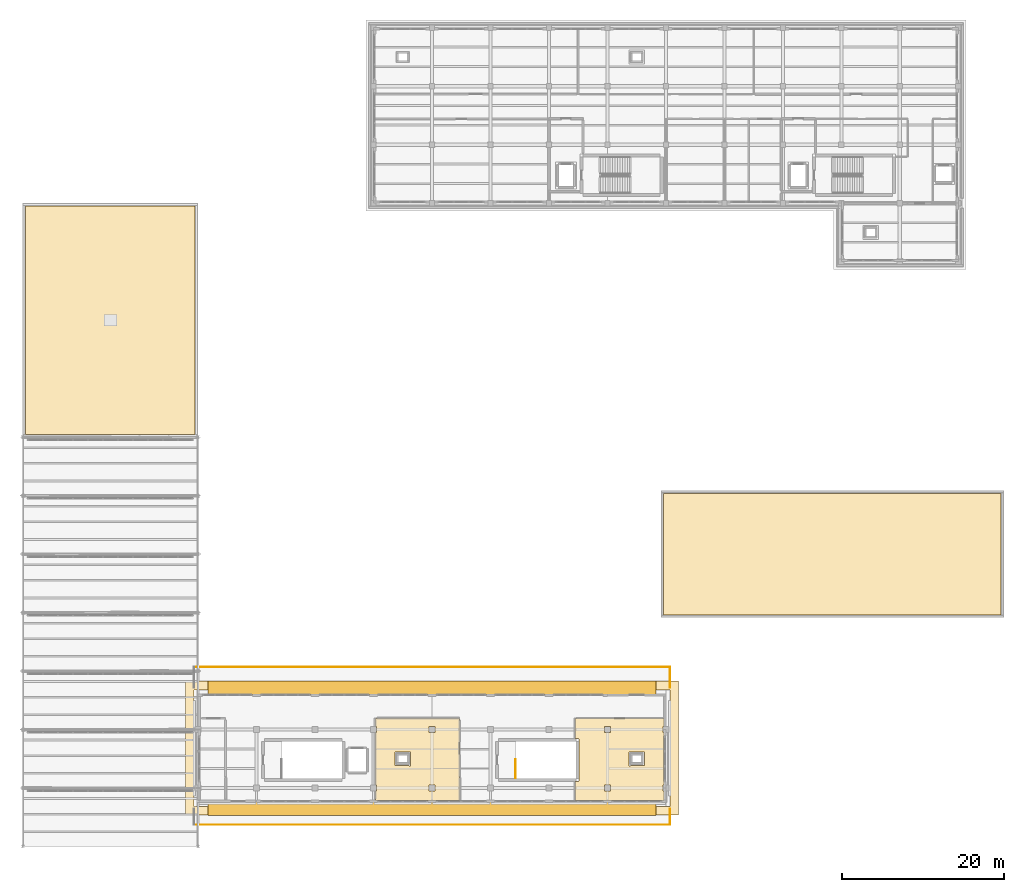
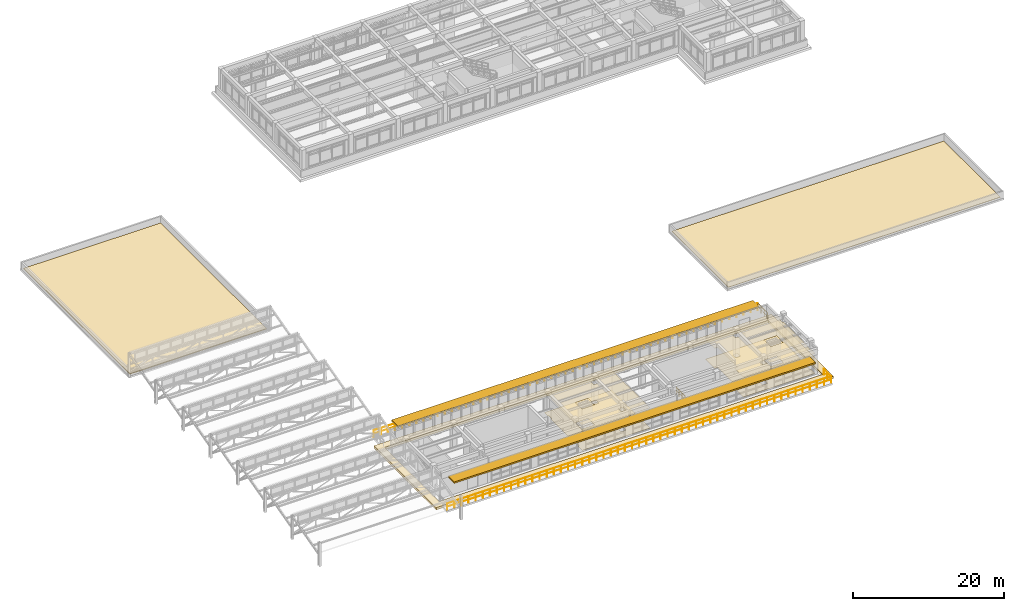
# One storey, part 51 of 55: 7 coverings, 5 railings, 2 shading devices.
"""IFC4 building model written with IfcOpenShell, lengths in metres."""

from ifc_helpers import new_model, si_unit, direction, frame, origin, origin_2d, place, context, subcontext, project, spatial, polyline, rectangle, circle, outline, extrude, material, layer, layer_set, type_object, element, save


model = new_model("IFC4")

# Units and contexts
model_context = context("Model", 3, precision=1e-05, world=origin(), true_north=direction((0.0, 1.0)))
body_context = subcontext(model_context, "Body", "Model", "MODEL_VIEW")
ifc_project = project(units=[si_unit("LENGTHUNIT", "METRE"), si_unit("AREAUNIT", "SQUARE_METRE"), si_unit("VOLUMEUNIT", "CUBIC_METRE"), si_unit("PLANEANGLEUNIT", "RADIAN"), si_unit("MASSUNIT", "GRAM", prefix="KILO")], contexts=[model_context])

# Site, building, storey
site_placement = place(None, origin())
site = spatial("IfcSite", under=ifc_project, at=site_placement, CompositionType="ELEMENT")
building_placement = place(site_placement, origin())
building = spatial("IfcBuilding", under=site, at=building_placement, Name="Solenvale Faculty of Natural Sciences", CompositionType="ELEMENT")
storey_placement = place(building_placement, frame((0.0, 0.0, 22.5)))
storey = spatial("IfcBuildingStorey", under=building, at=storey_placement, Name="L05", CompositionType="ELEMENT", Elevation=22.5)

# Coverings
ifc_material_1 = material(Name="Acoustic mineral-timber ceiling", Category="wood")
ifc_layer_1 = layer(ifc_material_1, 0.02490234375)
ifc_layer_set_1 = layer_set([ifc_layer_1], Name="Acoustic mineral-timber ceiling")
covering_type_1 = type_object("IfcCoveringType", Name="COV-CEIL-AC25", PredefinedType="CEILING", material=ifc_layer_set_1)
covering_1_placement = place(storey_placement, frame((0.0, 0.0, 3.235107421875)))
element("IfcCovering", 1, at=covering_1_placement, inside=storey, type_object=covering_type_1, Name="L05 Atmospheric Chemistry Laboratory Acoustic Ceiling", PredefinedType="CEILING", context=body_context, shape_type="SweptSolid", body=[
    extrude(outline(polyline([(89.72998046875, 30.159912109375), (89.7509765625, 30.15087890625), (89.760009765625, 30.1298828125), (89.760009765625, 23.0), (89.780029296875, 22.950927734375), (89.780029296875, 20.070068359375), (89.77099609375, 20.049072265625), (89.75, 20.0400390625), (79.449951171875, 20.0400390625), (79.428955078125, 20.049072265625), (79.419921875, 20.070068359375), (79.419921875, 21.197998046875), (79.444091796875, 21.22412109375), (79.56591796875, 21.22509765625), (79.574951171875, 21.236083984375), (79.574951171875, 21.967041015625), (79.444091796875, 21.97607421875), (79.419921875, 22.0048828125), (79.419921875, 28.39501953125), (79.44091796875, 28.424072265625), (79.56591796875, 28.425048828125), (79.574951171875, 28.43603515625), (79.574951171875, 29.1669921875), (79.444091796875, 29.176025390625), (79.419921875, 29.201904296875), (79.419921875, 30.1298828125), (79.428955078125, 30.15087890625), (79.449951171875, 30.159912109375), (89.72998046875, 30.159912109375)]), holes=[polyline([(86.02490234375, 21.236083984375), (86.035888671875, 21.22509765625), (86.77197265625, 21.22802734375), (86.77197265625, 21.971923828125), (86.028076171875, 21.971923828125), (86.02490234375, 21.236083984375)]), polyline([(86.02490234375, 28.43603515625), (86.035888671875, 28.425048828125), (86.77197265625, 28.427978515625), (86.77197265625, 29.172119140625), (86.028076171875, 29.172119140625), (86.02490234375, 28.43603515625)]), polyline([(81.867919921875, 26.06005859375), (81.847900390625, 26.050048828125), (81.840087890625, 26.030029296875), (81.840087890625, 24.3701171875), (81.85009765625, 24.347900390625), (83.72998046875, 24.340087890625), (83.751953125, 24.35009765625), (83.760009765625, 26.030029296875), (83.75, 26.052001953125), (81.867919921875, 26.06005859375)])]), origin(), (0.0, 0.0, 1.0), 0.02490234375),
])
covering_2_placement = place(storey_placement, frame((0.0, 0.0, 3.235107421875)))
element("IfcCovering", 2, at=covering_2_placement, inside=storey, type_object=covering_type_1, Name="L05 Seminar Room Acoustic Ceiling", PredefinedType="CEILING", context=body_context, shape_type="SweptSolid", body=[
    extrude(outline(polyline([(104.050048828125, 20.0400390625), (104.029052734375, 20.049072265625), (104.02001953125, 20.070068359375), (104.02099609375, 22.39599609375), (104.047119140625, 22.419921875), (104.4541015625, 22.419921875), (104.47998046875, 22.447998046875), (104.47998046875, 27.64990234375), (104.4541015625, 27.679931640625), (104.047119140625, 27.679931640625), (104.02099609375, 27.7041015625), (104.02001953125, 30.1298828125), (104.029052734375, 30.15087890625), (104.050048828125, 30.159912109375), (114.929931640625, 30.159912109375), (114.950927734375, 30.15087890625), (114.9599609375, 30.1298828125), (114.9599609375, 29.201904296875), (114.93896484375, 29.176025390625), (114.833984375, 29.175048828125), (114.824951171875, 29.1640625), (114.824951171875, 28.43310546875), (114.93896484375, 28.424072265625), (114.9599609375, 28.39501953125), (114.9599609375, 22.0048828125), (114.93896484375, 21.97607421875), (114.833984375, 21.97509765625), (114.824951171875, 21.964111328125), (114.824951171875, 21.23291015625), (114.93896484375, 21.22412109375), (114.9599609375, 21.197998046875), (114.9599609375, 20.070068359375), (114.950927734375, 20.049072265625), (114.929931640625, 20.0400390625), (104.050048828125, 20.0400390625)]), holes=[polyline([(112.56005859375, 26.031982421875), (112.550048828125, 26.052001953125), (112.530029296875, 26.06005859375), (110.64990234375, 26.052001953125), (110.639892578125, 26.030029296875), (110.64794921875, 24.35009765625), (110.669921875, 24.340087890625), (112.550048828125, 24.347900390625), (112.56005859375, 24.3701171875), (112.56005859375, 26.031982421875)]), polyline([(107.635986328125, 21.97509765625), (107.625, 21.964111328125), (107.6279296875, 21.22802734375), (108.3720703125, 21.22802734375), (108.3720703125, 21.971923828125), (107.635986328125, 21.97509765625)]), polyline([(107.635986328125, 29.175048828125), (107.625, 29.1640625), (107.6279296875, 28.427978515625), (108.3720703125, 28.427978515625), (108.3720703125, 29.172119140625), (107.635986328125, 29.175048828125)])]), origin(), (0.0, 0.0, 1.0), 0.02490234375),
])
ifc_material_2 = material(Name="Polished slate terrazzo flooring", Category="masonry")
ifc_layer_2 = layer(ifc_material_2, 0.01806640625)
ifc_layer_set_2 = layer_set([ifc_layer_2], Name="Polished slate terrazzo flooring")
covering_type_2 = type_object("IfcCoveringType", Name="COV-FLR-TRZ18", PredefinedType="FLOORING", material=ifc_layer_set_2)
covering_3_placement = place(storey_placement, origin())
element("IfcCovering", 3, at=covering_3_placement, inside=storey, type_object=covering_type_2, Name="L05 Seminar Room Floor Finish", PredefinedType="FLOORING", context=body_context, shape_type="SweptSolid", body=[
    extrude(outline(polyline([(104.050048828125, 20.0400390625), (104.029052734375, 20.049072265625), (104.02001953125, 20.070068359375), (104.02099609375, 22.39599609375), (104.047119140625, 22.419921875), (104.4541015625, 22.419921875), (104.47998046875, 22.447998046875), (104.47998046875, 27.64990234375), (104.4541015625, 27.679931640625), (104.047119140625, 27.679931640625), (104.02099609375, 27.7041015625), (104.02001953125, 30.1298828125), (104.029052734375, 30.15087890625), (104.050048828125, 30.159912109375), (114.929931640625, 30.159912109375), (114.950927734375, 30.15087890625), (114.9599609375, 30.1298828125), (114.9599609375, 29.201904296875), (114.93896484375, 29.176025390625), (114.833984375, 29.175048828125), (114.824951171875, 29.1640625), (114.824951171875, 28.43310546875), (114.93896484375, 28.424072265625), (114.9599609375, 28.39501953125), (114.9599609375, 22.0048828125), (114.93896484375, 21.97607421875), (114.833984375, 21.97509765625), (114.824951171875, 21.964111328125), (114.824951171875, 21.23291015625), (114.93896484375, 21.22412109375), (114.9599609375, 21.197998046875), (114.9599609375, 20.070068359375), (114.950927734375, 20.049072265625), (114.929931640625, 20.0400390625), (104.050048828125, 20.0400390625)]), holes=[polyline([(112.56005859375, 26.031982421875), (112.550048828125, 26.052001953125), (112.530029296875, 26.06005859375), (110.64990234375, 26.052001953125), (110.639892578125, 26.030029296875), (110.64794921875, 24.35009765625), (110.669921875, 24.340087890625), (112.550048828125, 24.347900390625), (112.56005859375, 24.3701171875), (112.56005859375, 26.031982421875)]), polyline([(107.635986328125, 21.97509765625), (107.625, 21.964111328125), (107.6279296875, 21.22802734375), (108.3720703125, 21.22802734375), (108.3720703125, 21.971923828125), (107.635986328125, 21.97509765625)]), polyline([(107.635986328125, 29.175048828125), (107.625, 29.1640625), (107.6279296875, 28.427978515625), (108.3720703125, 28.427978515625), (108.3720703125, 29.172119140625), (107.635986328125, 29.175048828125)])]), origin(), (0.0, 0.0, 1.0), 0.01806640625),
])
ifc_material_3 = material(Name="Seamless laboratory vinyl flooring")
ifc_layer_3 = layer(ifc_material_3, 0.008056640625)
ifc_layer_set_3 = layer_set([ifc_layer_3], Name="Seamless laboratory vinyl flooring")
covering_type_3 = type_object("IfcCoveringType", Name="COV-FLR-VNL08", PredefinedType="FLOORING", material=ifc_layer_set_3)
covering_4_placement = place(storey_placement, origin())
element("IfcCovering", 4, at=covering_4_placement, inside=storey, type_object=covering_type_3, Name="L05 Atmospheric Chemistry Laboratory Floor Finish", PredefinedType="FLOORING", context=body_context, shape_type="SweptSolid", body=[
    extrude(outline(polyline([(89.72998046875, 30.159912109375), (89.7509765625, 30.15087890625), (89.760009765625, 30.1298828125), (89.760009765625, 23.0), (89.780029296875, 22.950927734375), (89.780029296875, 20.070068359375), (89.77099609375, 20.049072265625), (89.75, 20.0400390625), (79.449951171875, 20.0400390625), (79.428955078125, 20.049072265625), (79.419921875, 20.070068359375), (79.419921875, 21.197998046875), (79.444091796875, 21.22412109375), (79.56591796875, 21.22509765625), (79.574951171875, 21.236083984375), (79.574951171875, 21.967041015625), (79.444091796875, 21.97607421875), (79.419921875, 22.0048828125), (79.419921875, 28.39501953125), (79.44091796875, 28.424072265625), (79.56591796875, 28.425048828125), (79.574951171875, 28.43603515625), (79.574951171875, 29.1669921875), (79.444091796875, 29.176025390625), (79.419921875, 29.201904296875), (79.419921875, 30.1298828125), (79.428955078125, 30.15087890625), (79.449951171875, 30.159912109375), (89.72998046875, 30.159912109375)]), holes=[polyline([(86.02490234375, 21.236083984375), (86.035888671875, 21.22509765625), (86.77197265625, 21.22802734375), (86.77197265625, 21.971923828125), (86.028076171875, 21.971923828125), (86.02490234375, 21.236083984375)]), polyline([(86.02490234375, 28.43603515625), (86.035888671875, 28.425048828125), (86.77197265625, 28.427978515625), (86.77197265625, 29.172119140625), (86.028076171875, 29.172119140625), (86.02490234375, 28.43603515625)]), polyline([(81.867919921875, 26.06005859375), (81.847900390625, 26.050048828125), (81.840087890625, 26.030029296875), (81.840087890625, 24.3701171875), (81.85009765625, 24.347900390625), (83.72998046875, 24.340087890625), (83.751953125, 24.35009765625), (83.760009765625, 26.030029296875), (83.75, 26.052001953125), (81.867919921875, 26.06005859375)])]), origin(), (0.0, 0.0, 1.0), 0.008056640625),
])
ifc_material_4 = material(Name="Planted green roof build-up")
ifc_layer_4 = layer(ifc_material_4, 0.1201171875)
ifc_layer_set_4 = layer_set([ifc_layer_4], Name="Planted green roof build-up")
covering_type_4 = type_object("IfcCoveringType", Name="COV-ROOF-GREEN", PredefinedType="ROOFING", material=ifc_layer_set_4)
covering_5_placement = place(storey_placement, origin())
element("IfcCovering", 5, at=covering_5_placement, inside=storey, type_object=covering_type_4, Name="L05 Roof Covering 5", PredefinedType="ROOFING", context=body_context, shape_type="SweptSolid", body=[
    extrude(outline(polyline([(36.35009765625, 65.14990234375), (36.35009765625, 93.25), (57.25, 93.25), (57.25, 65.14990234375), (36.35009765625, 65.14990234375)])), origin(), (0.0, 0.0, 1.0), 0.1201171875),
])
ifc_material_5 = material(Name="Insulated EPDM roofing membrane")
ifc_layer_5 = layer(ifc_material_5, 0.06494140625)
ifc_layer_set_5 = layer_set([ifc_layer_5], Name="Insulated EPDM roofing membrane")
covering_type_5 = type_object("IfcCoveringType", Name="COV-ROOF-MEMB", PredefinedType="ROOFING", material=ifc_layer_set_5)
covering_6_placement = place(storey_placement, frame((0.0, 0.0, -0.340087890625)))
element("IfcCovering", 6, at=covering_6_placement, inside=storey, type_object=covering_type_5, Name="L05 Projecting Horizontal Bronze Concrete Tray Ledge 1", PredefinedType="CLADDING", context=body_context, shape_type="SweptSolid", body=[
    extrude(outline(polyline([(116.72998046875, 34.75), (116.743896484375, 34.743896484375), (116.75, 34.72998046875), (116.75, 18.27001953125), (116.736083984375, 18.2509765625), (56.070068359375, 18.25), (56.051025390625, 18.263916015625), (56.050048828125, 34.72998046875), (56.06396484375, 34.7490234375), (116.72998046875, 34.75)]), holes=[polyline([(57.1201171875, 19.320068359375), (115.679931640625, 19.320068359375), (115.679931640625, 33.679931640625), (57.1201171875, 33.679931640625), (57.1201171875, 19.320068359375)])]), origin(), (0.0, 0.0, 1.0), 0.380126953125),
])
covering_7_placement = place(storey_placement, origin())
element("IfcCovering", 7, at=covering_7_placement, inside=storey, type_object=covering_type_5, Name="L05 Roof Covering 4", PredefinedType="ROOFING", context=body_context, shape_type="SweptSolid", body=[
    extrude(outline(polyline([(114.929931640625, 57.8701171875), (156.469970703125, 57.8701171875), (156.469970703125, 42.929931640625), (114.929931640625, 42.929931640625), (114.929931640625, 57.8701171875)])), origin(), (0.0, 0.0, 1.0), 0.06494140625),
])

# Railings
ifc_material_6 = material(Name="Stainless steel Grade 304", Category="steel")
railing_type_1 = type_object("IfcRailingType", Name="RL-GRD-1100", PredefinedType="GUARDRAIL", material=ifc_material_6)
railing_1_placement = place(storey_placement, frame((96.68994140625, 22.800048828125, 0.0)))
element("IfcRailing", 8, at=railing_1_placement, inside=storey, type_object=railing_type_1, Name="L05 ST-07 top well guard 1", PredefinedType="GUARDRAIL", context=body_context, shape_type="SweptSolid", body=[
    extrude(circle(Radius=0.02392578125, at=origin_2d()), frame((0.0, 0.0, 1.09619140625), z_axis=(0.0, 1.0, 0.0), x_axis=(-1.0, 0.0, 0.0)), (0.0, 0.0, 1.0), 2.349853515625),
    extrude(circle(Radius=0.01611328125, at=origin_2d()), frame((0.0, 0.0, 0.56005859375), z_axis=(0.0, 1.0, 0.0), x_axis=(-1.0, 0.0, 0.0)), (0.0, 0.0, 1.0), 2.349853515625),
    extrude(circle(Radius=0.02099609375, at=origin_2d()), origin(), (0.0, 0.0, 1.0), 1.072021484375),
    extrude(circle(Radius=0.02099609375, at=origin_2d()), frame((0.0, 0.783203125, 0.0)), (0.0, 0.0, 1.0), 1.072021484375),
    extrude(circle(Radius=0.02099609375, at=origin_2d()), frame((0.0, 1.566650390625, 0.0)), (0.0, 0.0, 1.0), 1.072021484375),
    extrude(circle(Radius=0.02099609375, at=origin_2d()), frame((0.0, 2.349853515625, 0.0)), (0.0, 0.0, 1.0), 1.072021484375),
])
railing_type_2 = type_object("IfcRailingType", Name="RL-TERR-1100", PredefinedType="GUARDRAIL", material=ifc_material_6)
railing_2_placement = place(storey_placement, frame((115.719970703125, 36.52001953125, 0.0)))
element("IfcRailing", 9, at=railing_2_placement, inside=storey, type_object=railing_type_2, Name="L05 Terrace Guardrail 1.1", PredefinedType="GUARDRAIL", context=body_context, shape_type="SweptSolid", body=[
    extrude(circle(Radius=0.02392578125, at=origin_2d()), frame((0.0, 0.0, 1.09619140625), z_axis=(0.0, -1.0, 0.0), x_axis=(1.0, 0.0, 0.0)), (0.0, 0.0, 1.0), 2.56005859375),
    extrude(circle(Radius=0.01611328125, at=origin_2d()), frame((0.0, 0.0, 0.56005859375), z_axis=(0.0, -1.0, 0.0), x_axis=(1.0, 0.0, 0.0)), (0.0, 0.0, 1.0), 2.56005859375),
    extrude(circle(Radius=0.02099609375, at=origin_2d()), origin(), (0.0, 0.0, 1.0), 1.072021484375),
    extrude(circle(Radius=0.02099609375, at=origin_2d()), frame((0.0, -0.853271484375, 0.0)), (0.0, 0.0, 1.0), 1.072021484375),
    extrude(circle(Radius=0.02099609375, at=origin_2d()), frame((0.0, -1.706787109375, 0.0)), (0.0, 0.0, 1.0), 1.072021484375),
    extrude(circle(Radius=0.02099609375, at=origin_2d()), frame((0.0, -2.56005859375, 0.0)), (0.0, 0.0, 1.0), 1.072021484375),
])
railing_3_placement = place(storey_placement, frame((57.080078125, 36.52001953125, 0.0)))
element("IfcRailing", 10, at=railing_3_placement, inside=storey, type_object=railing_type_2, Name="L05 Terrace Guardrail 1.4", PredefinedType="GUARDRAIL", context=body_context, shape_type="SweptSolid", body=[
    extrude(circle(Radius=0.02392578125, at=origin_2d()), frame((0.0, 0.0, 1.09619140625), z_axis=(1.0, 0.0, 0.0), x_axis=(0.0, 1.0, 0.0)), (0.0, 0.0, 1.0), 58.639892578125),
    extrude(circle(Radius=0.01611328125, at=origin_2d()), frame((0.0, 0.0, 0.56005859375), z_axis=(1.0, 0.0, 0.0), x_axis=(0.0, 1.0, 0.0)), (0.0, 0.0, 1.0), 58.639892578125),
    extrude(circle(Radius=0.02099609375, at=origin_2d()), origin(), (0.0, 0.0, 1.0), 1.072021484375),
    extrude(circle(Radius=0.02099609375, at=origin_2d()), frame((1.0859375, 0.0, 0.0)), (0.0, 0.0, 1.0), 1.072021484375),
    extrude(circle(Radius=0.02099609375, at=origin_2d()), frame((2.171875, 0.0, 0.0)), (0.0, 0.0, 1.0), 1.072021484375),
    extrude(circle(Radius=0.02099609375, at=origin_2d()), frame((3.2578125, 0.0, 0.0)), (0.0, 0.0, 1.0), 1.072021484375),
    extrude(circle(Radius=0.02099609375, at=origin_2d()), frame((4.34375, 0.0, 0.0)), (0.0, 0.0, 1.0), 1.072021484375),
    extrude(circle(Radius=0.02099609375, at=origin_2d()), frame((5.4296875, 0.0, 0.0)), (0.0, 0.0, 1.0), 1.072021484375),
    extrude(circle(Radius=0.02099609375, at=origin_2d()), frame((6.515625, 0.0, 0.0)), (0.0, 0.0, 1.0), 1.072021484375),
    extrude(circle(Radius=0.02099609375, at=origin_2d()), frame((7.6015625, 0.0, 0.0)), (0.0, 0.0, 1.0), 1.072021484375),
    extrude(circle(Radius=0.02099609375, at=origin_2d()), frame((8.6875, 0.0, 0.0)), (0.0, 0.0, 1.0), 1.072021484375),
    extrude(circle(Radius=0.02099609375, at=origin_2d()), frame((9.7734375, 0.0, 0.0)), (0.0, 0.0, 1.0), 1.072021484375),
    extrude(circle(Radius=0.02099609375, at=origin_2d()), frame((10.859130859375, 0.0, 0.0)), (0.0, 0.0, 1.0), 1.072021484375),
    extrude(circle(Radius=0.02099609375, at=origin_2d()), frame((11.945068359375, 0.0, 0.0)), (0.0, 0.0, 1.0), 1.072021484375),
    extrude(circle(Radius=0.02099609375, at=origin_2d()), frame((13.031005859375, 0.0, 0.0)), (0.0, 0.0, 1.0), 1.072021484375),
    extrude(circle(Radius=0.02099609375, at=origin_2d()), frame((14.116943359375, 0.0, 0.0)), (0.0, 0.0, 1.0), 1.072021484375),
    extrude(circle(Radius=0.02099609375, at=origin_2d()), frame((15.202880859375, 0.0, 0.0)), (0.0, 0.0, 1.0), 1.072021484375),
    extrude(circle(Radius=0.02099609375, at=origin_2d()), frame((16.288818359375, 0.0, 0.0)), (0.0, 0.0, 1.0), 1.072021484375),
    extrude(circle(Radius=0.02099609375, at=origin_2d()), frame((17.374755859375, 0.0, 0.0)), (0.0, 0.0, 1.0), 1.072021484375),
    extrude(circle(Radius=0.02099609375, at=origin_2d()), frame((18.460693359375, 0.0, 0.0)), (0.0, 0.0, 1.0), 1.072021484375),
    extrude(circle(Radius=0.02099609375, at=origin_2d()), frame((19.546630859375, 0.0, 0.0)), (0.0, 0.0, 1.0), 1.072021484375),
    extrude(circle(Radius=0.02099609375, at=origin_2d()), frame((20.632568359375, 0.0, 0.0)), (0.0, 0.0, 1.0), 1.072021484375),
    extrude(circle(Radius=0.02099609375, at=origin_2d()), frame((21.718505859375, 0.0, 0.0)), (0.0, 0.0, 1.0), 1.072021484375),
    extrude(circle(Radius=0.02099609375, at=origin_2d()), frame((22.804443359375, 0.0, 0.0)), (0.0, 0.0, 1.0), 1.072021484375),
    extrude(circle(Radius=0.02099609375, at=origin_2d()), frame((23.890380859375, 0.0, 0.0)), (0.0, 0.0, 1.0), 1.072021484375),
    extrude(circle(Radius=0.02099609375, at=origin_2d()), frame((24.976318359375, 0.0, 0.0)), (0.0, 0.0, 1.0), 1.072021484375),
    extrude(circle(Radius=0.02099609375, at=origin_2d()), frame((26.062255859375, 0.0, 0.0)), (0.0, 0.0, 1.0), 1.072021484375),
    extrude(circle(Radius=0.02099609375, at=origin_2d()), frame((27.148193359375, 0.0, 0.0)), (0.0, 0.0, 1.0), 1.072021484375),
    extrude(circle(Radius=0.02099609375, at=origin_2d()), frame((28.234130859375, 0.0, 0.0)), (0.0, 0.0, 1.0), 1.072021484375),
    extrude(circle(Radius=0.02099609375, at=origin_2d()), frame((29.31982421875, 0.0, 0.0)), (0.0, 0.0, 1.0), 1.072021484375),
    extrude(circle(Radius=0.02099609375, at=origin_2d()), frame((30.40576171875, 0.0, 0.0)), (0.0, 0.0, 1.0), 1.072021484375),
    extrude(circle(Radius=0.02099609375, at=origin_2d()), frame((31.49169921875, 0.0, 0.0)), (0.0, 0.0, 1.0), 1.072021484375),
    extrude(circle(Radius=0.02099609375, at=origin_2d()), frame((32.57763671875, 0.0, 0.0)), (0.0, 0.0, 1.0), 1.072021484375),
    extrude(circle(Radius=0.02099609375, at=origin_2d()), frame((33.66357421875, 0.0, 0.0)), (0.0, 0.0, 1.0), 1.072021484375),
    extrude(circle(Radius=0.02099609375, at=origin_2d()), frame((34.74951171875, 0.0, 0.0)), (0.0, 0.0, 1.0), 1.072021484375),
    extrude(circle(Radius=0.02099609375, at=origin_2d()), frame((35.83544921875, 0.0, 0.0)), (0.0, 0.0, 1.0), 1.072021484375),
    extrude(circle(Radius=0.02099609375, at=origin_2d()), frame((36.92138671875, 0.0, 0.0)), (0.0, 0.0, 1.0), 1.072021484375),
    extrude(circle(Radius=0.02099609375, at=origin_2d()), frame((38.00732421875, 0.0, 0.0)), (0.0, 0.0, 1.0), 1.072021484375),
    extrude(circle(Radius=0.02099609375, at=origin_2d()), frame((39.09326171875, 0.0, 0.0)), (0.0, 0.0, 1.0), 1.072021484375),
    extrude(circle(Radius=0.02099609375, at=origin_2d()), frame((40.17919921875, 0.0, 0.0)), (0.0, 0.0, 1.0), 1.072021484375),
    extrude(circle(Radius=0.02099609375, at=origin_2d()), frame((41.26513671875, 0.0, 0.0)), (0.0, 0.0, 1.0), 1.072021484375),
    extrude(circle(Radius=0.02099609375, at=origin_2d()), frame((42.35107421875, 0.0, 0.0)), (0.0, 0.0, 1.0), 1.072021484375),
    extrude(circle(Radius=0.02099609375, at=origin_2d()), frame((43.43701171875, 0.0, 0.0)), (0.0, 0.0, 1.0), 1.072021484375),
    extrude(circle(Radius=0.02099609375, at=origin_2d()), frame((44.52294921875, 0.0, 0.0)), (0.0, 0.0, 1.0), 1.072021484375),
    extrude(circle(Radius=0.02099609375, at=origin_2d()), frame((45.60888671875, 0.0, 0.0)), (0.0, 0.0, 1.0), 1.072021484375),
    extrude(circle(Radius=0.02099609375, at=origin_2d()), frame((46.69482421875, 0.0, 0.0)), (0.0, 0.0, 1.0), 1.072021484375),
    extrude(circle(Radius=0.02099609375, at=origin_2d()), frame((47.78076171875, 0.0, 0.0)), (0.0, 0.0, 1.0), 1.072021484375),
    extrude(circle(Radius=0.02099609375, at=origin_2d()), frame((48.86669921875, 0.0, 0.0)), (0.0, 0.0, 1.0), 1.072021484375),
    extrude(circle(Radius=0.02099609375, at=origin_2d()), frame((49.952392578125, 0.0, 0.0)), (0.0, 0.0, 1.0), 1.072021484375),
    extrude(circle(Radius=0.02099609375, at=origin_2d()), frame((51.038330078125, 0.0, 0.0)), (0.0, 0.0, 1.0), 1.072021484375),
    extrude(circle(Radius=0.02099609375, at=origin_2d()), frame((52.124267578125, 0.0, 0.0)), (0.0, 0.0, 1.0), 1.072021484375),
    extrude(circle(Radius=0.02099609375, at=origin_2d()), frame((53.210205078125, 0.0, 0.0)), (0.0, 0.0, 1.0), 1.072021484375),
    extrude(circle(Radius=0.02099609375, at=origin_2d()), frame((54.296142578125, 0.0, 0.0)), (0.0, 0.0, 1.0), 1.072021484375),
    extrude(circle(Radius=0.02099609375, at=origin_2d()), frame((55.382080078125, 0.0, 0.0)), (0.0, 0.0, 1.0), 1.072021484375),
    extrude(circle(Radius=0.02099609375, at=origin_2d()), frame((56.468017578125, 0.0, 0.0)), (0.0, 0.0, 1.0), 1.072021484375),
    extrude(circle(Radius=0.02099609375, at=origin_2d()), frame((57.553955078125, 0.0, 0.0)), (0.0, 0.0, 1.0), 1.072021484375),
    extrude(circle(Radius=0.02099609375, at=origin_2d()), frame((58.639892578125, 0.0, 0.0)), (0.0, 0.0, 1.0), 1.072021484375),
])
railing_4_placement = place(storey_placement, frame((115.719970703125, 19.0400390625, 0.0)))
element("IfcRailing", 11, at=railing_4_placement, inside=storey, type_object=railing_type_2, Name="L05 Terrace Guardrail 2.1", PredefinedType="GUARDRAIL", context=body_context, shape_type="SweptSolid", body=[
    extrude(circle(Radius=0.02392578125, at=origin_2d()), frame((0.0, 0.0, 1.09619140625), z_axis=(0.0, -1.0, 0.0), x_axis=(1.0, 0.0, 0.0)), (0.0, 0.0, 1.0), 1.9599609375),
    extrude(circle(Radius=0.01611328125, at=origin_2d()), frame((0.0, 0.0, 0.56005859375), z_axis=(0.0, -1.0, 0.0), x_axis=(1.0, 0.0, 0.0)), (0.0, 0.0, 1.0), 1.9599609375),
    extrude(circle(Radius=0.02099609375, at=origin_2d()), origin(), (0.0, 0.0, 1.0), 1.072021484375),
    extrude(circle(Radius=0.02099609375, at=origin_2d()), frame((0.0, -0.97998046875, 0.0)), (0.0, 0.0, 1.0), 1.072021484375),
    extrude(circle(Radius=0.02099609375, at=origin_2d()), frame((0.0, -1.9599609375, 0.0)), (0.0, 0.0, 1.0), 1.072021484375),
])
railing_5_placement = place(storey_placement, frame((115.719970703125, 17.080078125, 0.0)))
element("IfcRailing", 12, at=railing_5_placement, inside=storey, type_object=railing_type_2, Name="L05 Terrace Guardrail 2.2", PredefinedType="GUARDRAIL", context=body_context, shape_type="SweptSolid", body=[
    extrude(circle(Radius=0.02392578125, at=origin_2d()), frame((0.0, 0.0, 1.09619140625), z_axis=(-1.0, 0.0, 0.0), x_axis=(0.0, -1.0, 0.0)), (0.0, 0.0, 1.0), 58.639892578125),
    extrude(circle(Radius=0.01611328125, at=origin_2d()), frame((0.0, 0.0, 0.56005859375), z_axis=(-1.0, 0.0, 0.0), x_axis=(0.0, -1.0, 0.0)), (0.0, 0.0, 1.0), 58.639892578125),
    extrude(circle(Radius=0.02099609375, at=origin_2d()), origin(), (0.0, 0.0, 1.0), 1.072021484375),
    extrude(circle(Radius=0.02099609375, at=origin_2d()), frame((-1.0859375, 0.0, 0.0)), (0.0, 0.0, 1.0), 1.072021484375),
    extrude(circle(Radius=0.02099609375, at=origin_2d()), frame((-2.171875, 0.0, 0.0)), (0.0, 0.0, 1.0), 1.072021484375),
    extrude(circle(Radius=0.02099609375, at=origin_2d()), frame((-3.2578125, 0.0, 0.0)), (0.0, 0.0, 1.0), 1.072021484375),
    extrude(circle(Radius=0.02099609375, at=origin_2d()), frame((-4.34375, 0.0, 0.0)), (0.0, 0.0, 1.0), 1.072021484375),
    extrude(circle(Radius=0.02099609375, at=origin_2d()), frame((-5.4296875, 0.0, 0.0)), (0.0, 0.0, 1.0), 1.072021484375),
    extrude(circle(Radius=0.02099609375, at=origin_2d()), frame((-6.515625, 0.0, 0.0)), (0.0, 0.0, 1.0), 1.072021484375),
    extrude(circle(Radius=0.02099609375, at=origin_2d()), frame((-7.6015625, 0.0, 0.0)), (0.0, 0.0, 1.0), 1.072021484375),
    extrude(circle(Radius=0.02099609375, at=origin_2d()), frame((-8.6875, 0.0, 0.0)), (0.0, 0.0, 1.0), 1.072021484375),
    extrude(circle(Radius=0.02099609375, at=origin_2d()), frame((-9.7734375, 0.0, 0.0)), (0.0, 0.0, 1.0), 1.072021484375),
    extrude(circle(Radius=0.02099609375, at=origin_2d()), frame((-10.859130859375, 0.0, 0.0)), (0.0, 0.0, 1.0), 1.072021484375),
    extrude(circle(Radius=0.02099609375, at=origin_2d()), frame((-11.945068359375, 0.0, 0.0)), (0.0, 0.0, 1.0), 1.072021484375),
    extrude(circle(Radius=0.02099609375, at=origin_2d()), frame((-13.031005859375, 0.0, 0.0)), (0.0, 0.0, 1.0), 1.072021484375),
    extrude(circle(Radius=0.02099609375, at=origin_2d()), frame((-14.116943359375, 0.0, 0.0)), (0.0, 0.0, 1.0), 1.072021484375),
    extrude(circle(Radius=0.02099609375, at=origin_2d()), frame((-15.202880859375, 0.0, 0.0)), (0.0, 0.0, 1.0), 1.072021484375),
    extrude(circle(Radius=0.02099609375, at=origin_2d()), frame((-16.288818359375, 0.0, 0.0)), (0.0, 0.0, 1.0), 1.072021484375),
    extrude(circle(Radius=0.02099609375, at=origin_2d()), frame((-17.374755859375, 0.0, 0.0)), (0.0, 0.0, 1.0), 1.072021484375),
    extrude(circle(Radius=0.02099609375, at=origin_2d()), frame((-18.460693359375, 0.0, 0.0)), (0.0, 0.0, 1.0), 1.072021484375),
    extrude(circle(Radius=0.02099609375, at=origin_2d()), frame((-19.546630859375, 0.0, 0.0)), (0.0, 0.0, 1.0), 1.072021484375),
    extrude(circle(Radius=0.02099609375, at=origin_2d()), frame((-20.632568359375, 0.0, 0.0)), (0.0, 0.0, 1.0), 1.072021484375),
    extrude(circle(Radius=0.02099609375, at=origin_2d()), frame((-21.718505859375, 0.0, 0.0)), (0.0, 0.0, 1.0), 1.072021484375),
    extrude(circle(Radius=0.02099609375, at=origin_2d()), frame((-22.804443359375, 0.0, 0.0)), (0.0, 0.0, 1.0), 1.072021484375),
    extrude(circle(Radius=0.02099609375, at=origin_2d()), frame((-23.890380859375, 0.0, 0.0)), (0.0, 0.0, 1.0), 1.072021484375),
    extrude(circle(Radius=0.02099609375, at=origin_2d()), frame((-24.976318359375, 0.0, 0.0)), (0.0, 0.0, 1.0), 1.072021484375),
    extrude(circle(Radius=0.02099609375, at=origin_2d()), frame((-26.062255859375, 0.0, 0.0)), (0.0, 0.0, 1.0), 1.072021484375),
    extrude(circle(Radius=0.02099609375, at=origin_2d()), frame((-27.148193359375, 0.0, 0.0)), (0.0, 0.0, 1.0), 1.072021484375),
    extrude(circle(Radius=0.02099609375, at=origin_2d()), frame((-28.234130859375, 0.0, 0.0)), (0.0, 0.0, 1.0), 1.072021484375),
    extrude(circle(Radius=0.02099609375, at=origin_2d()), frame((-29.31982421875, 0.0, 0.0)), (0.0, 0.0, 1.0), 1.072021484375),
    extrude(circle(Radius=0.02099609375, at=origin_2d()), frame((-30.40576171875, 0.0, 0.0)), (0.0, 0.0, 1.0), 1.072021484375),
    extrude(circle(Radius=0.02099609375, at=origin_2d()), frame((-31.49169921875, 0.0, 0.0)), (0.0, 0.0, 1.0), 1.072021484375),
    extrude(circle(Radius=0.02099609375, at=origin_2d()), frame((-32.57763671875, 0.0, 0.0)), (0.0, 0.0, 1.0), 1.072021484375),
    extrude(circle(Radius=0.02099609375, at=origin_2d()), frame((-33.66357421875, 0.0, 0.0)), (0.0, 0.0, 1.0), 1.072021484375),
    extrude(circle(Radius=0.02099609375, at=origin_2d()), frame((-34.74951171875, 0.0, 0.0)), (0.0, 0.0, 1.0), 1.072021484375),
    extrude(circle(Radius=0.02099609375, at=origin_2d()), frame((-35.83544921875, 0.0, 0.0)), (0.0, 0.0, 1.0), 1.072021484375),
    extrude(circle(Radius=0.02099609375, at=origin_2d()), frame((-36.92138671875, 0.0, 0.0)), (0.0, 0.0, 1.0), 1.072021484375),
    extrude(circle(Radius=0.02099609375, at=origin_2d()), frame((-38.00732421875, 0.0, 0.0)), (0.0, 0.0, 1.0), 1.072021484375),
    extrude(circle(Radius=0.02099609375, at=origin_2d()), frame((-39.09326171875, 0.0, 0.0)), (0.0, 0.0, 1.0), 1.072021484375),
    extrude(circle(Radius=0.02099609375, at=origin_2d()), frame((-40.17919921875, 0.0, 0.0)), (0.0, 0.0, 1.0), 1.072021484375),
    extrude(circle(Radius=0.02099609375, at=origin_2d()), frame((-41.26513671875, 0.0, 0.0)), (0.0, 0.0, 1.0), 1.072021484375),
    extrude(circle(Radius=0.02099609375, at=origin_2d()), frame((-42.35107421875, 0.0, 0.0)), (0.0, 0.0, 1.0), 1.072021484375),
    extrude(circle(Radius=0.02099609375, at=origin_2d()), frame((-43.43701171875, 0.0, 0.0)), (0.0, 0.0, 1.0), 1.072021484375),
    extrude(circle(Radius=0.02099609375, at=origin_2d()), frame((-44.52294921875, 0.0, 0.0)), (0.0, 0.0, 1.0), 1.072021484375),
    extrude(circle(Radius=0.02099609375, at=origin_2d()), frame((-45.60888671875, 0.0, 0.0)), (0.0, 0.0, 1.0), 1.072021484375),
    extrude(circle(Radius=0.02099609375, at=origin_2d()), frame((-46.69482421875, 0.0, 0.0)), (0.0, 0.0, 1.0), 1.072021484375),
    extrude(circle(Radius=0.02099609375, at=origin_2d()), frame((-47.78076171875, 0.0, 0.0)), (0.0, 0.0, 1.0), 1.072021484375),
    extrude(circle(Radius=0.02099609375, at=origin_2d()), frame((-48.86669921875, 0.0, 0.0)), (0.0, 0.0, 1.0), 1.072021484375),
    extrude(circle(Radius=0.02099609375, at=origin_2d()), frame((-49.952392578125, 0.0, 0.0)), (0.0, 0.0, 1.0), 1.072021484375),
    extrude(circle(Radius=0.02099609375, at=origin_2d()), frame((-51.038330078125, 0.0, 0.0)), (0.0, 0.0, 1.0), 1.072021484375),
    extrude(circle(Radius=0.02099609375, at=origin_2d()), frame((-52.124267578125, 0.0, 0.0)), (0.0, 0.0, 1.0), 1.072021484375),
    extrude(circle(Radius=0.02099609375, at=origin_2d()), frame((-53.210205078125, 0.0, 0.0)), (0.0, 0.0, 1.0), 1.072021484375),
    extrude(circle(Radius=0.02099609375, at=origin_2d()), frame((-54.296142578125, 0.0, 0.0)), (0.0, 0.0, 1.0), 1.072021484375),
    extrude(circle(Radius=0.02099609375, at=origin_2d()), frame((-55.382080078125, 0.0, 0.0)), (0.0, 0.0, 1.0), 1.072021484375),
    extrude(circle(Radius=0.02099609375, at=origin_2d()), frame((-56.468017578125, 0.0, 0.0)), (0.0, 0.0, 1.0), 1.072021484375),
    extrude(circle(Radius=0.02099609375, at=origin_2d()), frame((-57.553955078125, 0.0, 0.0)), (0.0, 0.0, 1.0), 1.072021484375),
    extrude(circle(Radius=0.02099609375, at=origin_2d()), frame((-58.639892578125, 0.0, 0.0)), (0.0, 0.0, 1.0), 1.072021484375),
])

# Shading devices
ifc_material_7 = material(Name="Anodised bronze aluminium", Category="aluminium")
shading_device_type = type_object("IfcShadingDeviceType", Name="SHD-LVR-1800x1200", PredefinedType="JALOUSIE", material=ifc_material_7)
for number, where, z_axis, x_axis, name in (
    (13, (86.39990234375, 33.949951171875, 3.0), (0.0, 0.0, 1.0), (1.0, 0.0, 0.0), "L05 Shaded Terrace Overhang Canopy 1"),
    (14, (86.39990234375, 19.050048828125, 3.0), (0.0, 0.0, 1.0), (1.0, 0.0, 0.0), "L05 Shaded Terrace Overhang Canopy 2"),
):
    element("IfcShadingDevice", number, at=place(storey_placement, frame(where, z_axis=z_axis, x_axis=x_axis)), inside=storey, type_object=shading_device_type, Name=name, PredefinedType="JALOUSIE", context=body_context, shape_type="SweptSolid", body=[
        extrude(rectangle(XDim=55.199951171875, YDim=1.64990234375, at=origin_2d()), origin(), (0.0, 0.0, 1.0), 0.239990234375),
    ])

save(model, "model.ifc")
